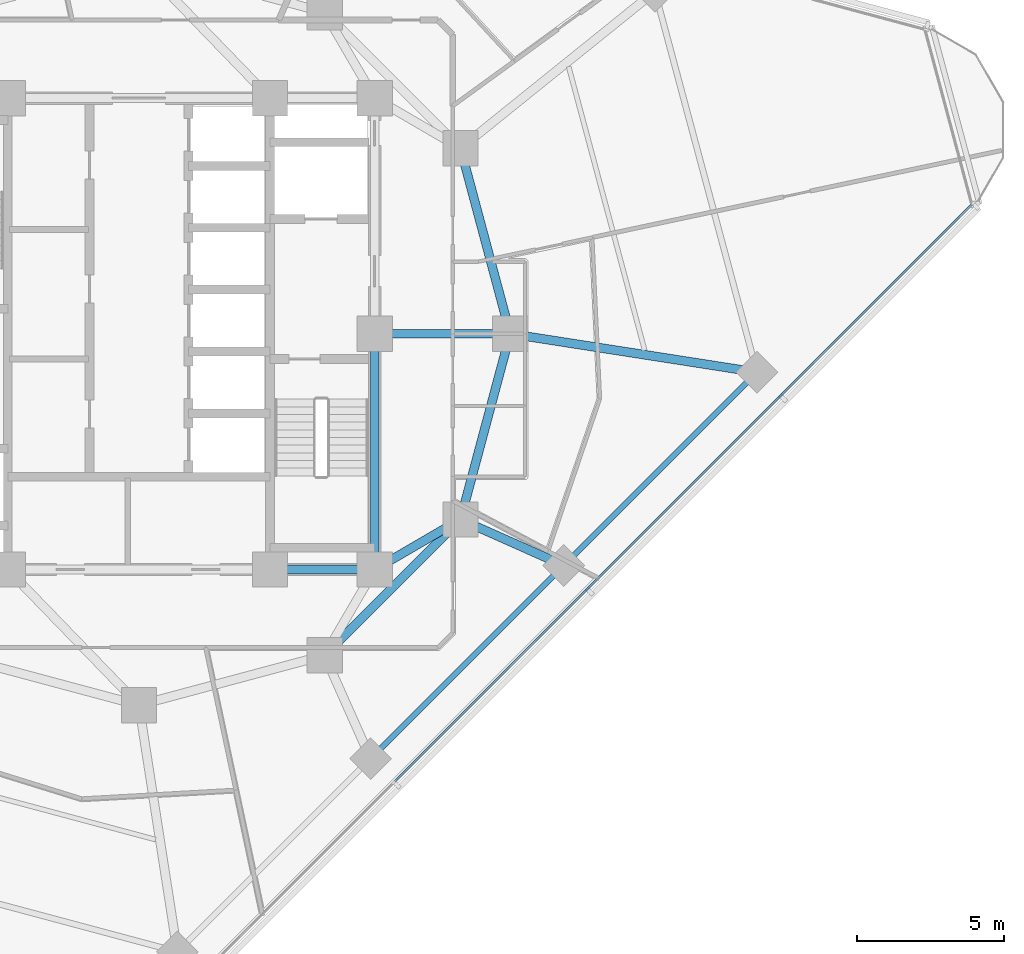
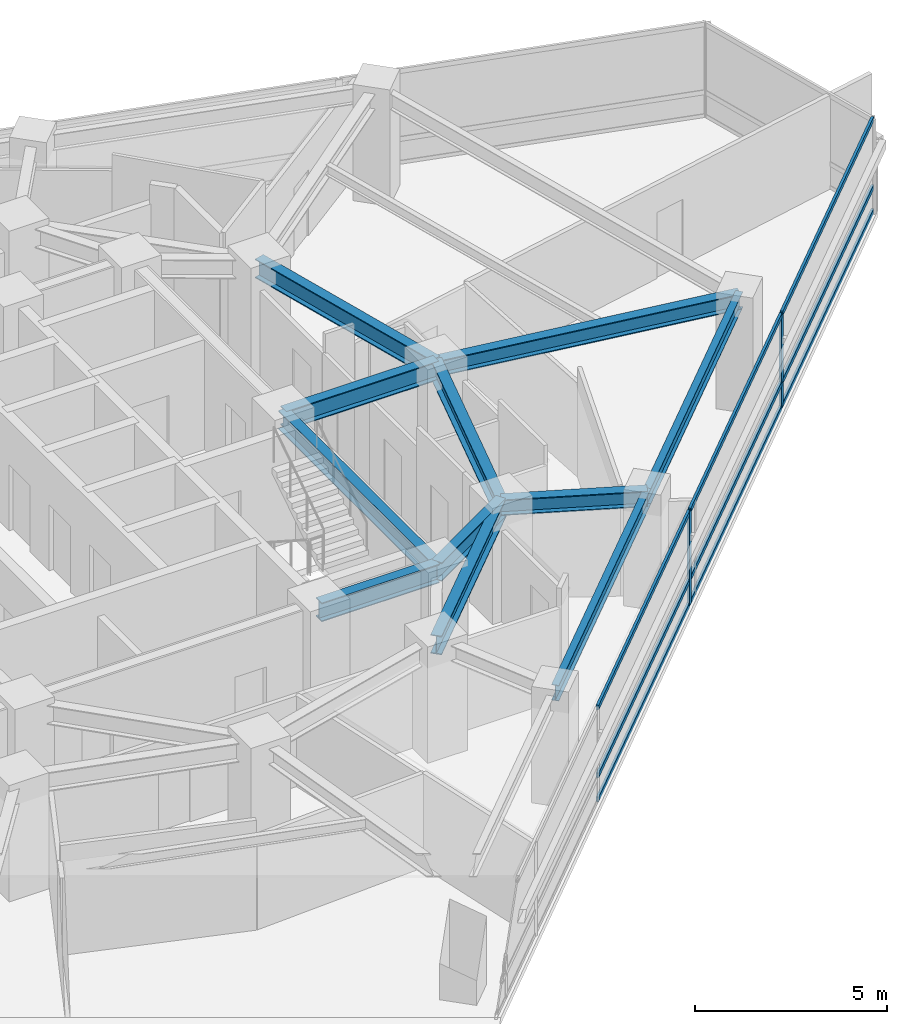
# One storey, part 3 of 14: 11 beams, 11 members, 1 element without a shape of its own.
"""IFC4 building model written with IfcOpenShell, lengths in metres."""

from ifc_helpers import new_model, si_unit, direction, frame, origin, origin_2d, place, context, subcontext, project, spatial, rectangle, i_section, extrude, material, layer, layer_set, material_profile, profile_set, type_object, element, aggregate, save


model = new_model("IFC4")

# Units and contexts
model_context = context("Model", 3, precision=1e-05, world=origin(), true_north=direction((0.0, 1.0)))
body_context = subcontext(model_context, "Body", "Model", "MODEL_VIEW")
ifc_project = project(units=[si_unit("LENGTHUNIT", "METRE"), si_unit("AREAUNIT", "SQUARE_METRE"), si_unit("VOLUMEUNIT", "CUBIC_METRE"), si_unit("PLANEANGLEUNIT", "RADIAN"), si_unit("MASSUNIT", "GRAM", prefix="KILO")], contexts=[model_context])

# Site, building, storey
site_placement = place(None, origin())
site = spatial("IfcSite", under=ifc_project, at=site_placement, CompositionType="ELEMENT")
building_placement = place(site_placement, origin())
building = spatial("IfcBuilding", under=site, at=building_placement, Name="Terralouvre Media Tower", CompositionType="ELEMENT")
storey_placement = place(building_placement, frame((0.0, 0.0, 191.60009765625)))
storey = spatial("IfcBuildingStorey", under=building, at=storey_placement, Name="L49", CompositionType="ELEMENT", Elevation=191.60009765625)

# Curtain wall, members
ifc_material_1 = material(Name="Low-iron laminated double glazing with solar-control coating", Category="glass")
ifc_layer = layer(ifc_material_1, 0.1650390625, Name="Production Studio Tower Curtain Wall CW-03")
ifc_layer_set = layer_set([ifc_layer], Name="Low-iron laminated double glazing with solar-control coating")
curtain_wall_type = type_object("IfcCurtainWallType", Name="Production Studio Tower Curtain Wall CW-03", PredefinedType="NOTDEFINED", material=ifc_layer_set)
curtain_wall_placement = place(storey_placement, origin())
curtain_wall = element("IfcCurtainWall", 1, at=curtain_wall_placement, inside=storey, type_object=curtain_wall_type, Name="L49 Facade Curtain Wall F0", PredefinedType="NOTDEFINED")
ifc_material_2 = material(Name="Anodised extruded aluminium 6063-T6", Category="aluminium")
ifc_material_profile_1 = material_profile(ifc_material_2, rectangle(XDim=0.074951171875, YDim=0.14990234375, at=origin_2d()), Name="ALU 75x150")
ifc_profile_set_1 = profile_set([ifc_material_profile_1], Name="Anodised extruded aluminium 6063-T6")
member_type_1 = type_object("IfcMemberType", Name="Curtain-Wall Horizontal Transom TR-150", PredefinedType="USERDEFINED", material=ifc_profile_set_1)
member_1_placement = place(storey_placement, frame((8.6865234375, -15.189697265625, 0.037353515625), z_axis=(0.707106781187, 0.707106781187, 0.0), x_axis=(-0.707106781187, 0.707106781187, 0.0)))
member_1 = element("IfcMember", 2, at=member_1_placement, type_object=member_type_1, Name="CW-03 transom 3.1", ObjectType="TRANSOM", PredefinedType="USERDEFINED", context=body_context, shape_type="SweptSolid", body=[
    extrude(rectangle(XDim=0.074951171875, YDim=0.14990234375, at=origin_2d()), origin(), (0.0, 0.0, 1.0), 9.19677734375),
])
member_2_placement = place(storey_placement, frame((8.6865234375, -15.189697265625, 0.7998046875), z_axis=(0.707106781187, 0.707106781187, 0.0), x_axis=(-0.707106781187, 0.707106781187, 0.0)))
member_2 = element("IfcMember", 3, at=member_2_placement, type_object=member_type_1, Name="CW-03 transom 3.2", ObjectType="TRANSOM", PredefinedType="USERDEFINED", context=body_context, shape_type="SweptSolid", body=[
    extrude(rectangle(XDim=0.074951171875, YDim=0.14990234375, at=origin_2d()), origin(), (0.0, 0.0, 1.0), 9.19677734375),
])
member_3_placement = place(storey_placement, frame((8.6865234375, -15.189697265625, 2.96240234375), z_axis=(0.707106781187, 0.707106781187, 0.0), x_axis=(-0.707106781187, 0.707106781187, 0.0)))
member_3 = element("IfcMember", 4, at=member_3_placement, type_object=member_type_1, Name="CW-03 transom 3.3", ObjectType="TRANSOM", PredefinedType="USERDEFINED", context=body_context, shape_type="SweptSolid", body=[
    extrude(rectangle(XDim=0.074951171875, YDim=0.14990234375, at=origin_2d()), origin(), (0.0, 0.0, 1.0), 9.19677734375),
])
member_4_placement = place(storey_placement, frame((15.24267578125, -8.63330078125, 0.037353515625), z_axis=(0.707120053831, 0.707093508293, 0.0), x_axis=(-0.707093508293, 0.707120053831, 0.0)))
member_4 = element("IfcMember", 5, at=member_4_placement, type_object=member_type_1, Name="CW-03 transom 4.1", ObjectType="TRANSOM", PredefinedType="USERDEFINED", context=body_context, shape_type="SweptSolid", body=[
    extrude(rectangle(XDim=0.074951171875, YDim=0.14990234375, at=origin_2d()), origin(), (0.0, 0.0, 1.0), 9.197021484375),
])
member_5_placement = place(storey_placement, frame((15.24267578125, -8.63330078125, 0.7998046875), z_axis=(0.707120053831, 0.707093508293, 0.0), x_axis=(-0.707093508293, 0.707120053831, 0.0)))
member_5 = element("IfcMember", 6, at=member_5_placement, type_object=member_type_1, Name="CW-03 transom 4.2", ObjectType="TRANSOM", PredefinedType="USERDEFINED", context=body_context, shape_type="SweptSolid", body=[
    extrude(rectangle(XDim=0.074951171875, YDim=0.14990234375, at=origin_2d()), origin(), (0.0, 0.0, 1.0), 9.197021484375),
])
member_6_placement = place(storey_placement, frame((15.24267578125, -8.63330078125, 2.96240234375), z_axis=(0.707120053831, 0.707093508293, 0.0), x_axis=(-0.707093508293, 0.707120053831, 0.0)))
member_6 = element("IfcMember", 7, at=member_6_placement, type_object=member_type_1, Name="CW-03 transom 4.3", ObjectType="TRANSOM", PredefinedType="USERDEFINED", context=body_context, shape_type="SweptSolid", body=[
    extrude(rectangle(XDim=0.074951171875, YDim=0.14990234375, at=origin_2d()), origin(), (0.0, 0.0, 1.0), 9.197021484375),
])
member_7_placement = place(storey_placement, frame((21.799072265625, -2.0771484375, 0.037353515625), z_axis=(0.707106781187, 0.707106781187, 0.0), x_axis=(-0.707106781187, 0.707106781187, 0.0)))
member_7 = element("IfcMember", 8, at=member_7_placement, type_object=member_type_1, Name="CW-03 transom 5.1", ObjectType="TRANSOM", PredefinedType="USERDEFINED", context=body_context, shape_type="SweptSolid", body=[
    extrude(rectangle(XDim=0.074951171875, YDim=0.14990234375, at=origin_2d()), origin(), (0.0, 0.0, 1.0), 9.15966796875),
])
member_8_placement = place(storey_placement, frame((21.799072265625, -2.0771484375, 0.7998046875), z_axis=(0.707106781187, 0.707106781187, 0.0), x_axis=(-0.707106781187, 0.707106781187, 0.0)))
member_8 = element("IfcMember", 9, at=member_8_placement, type_object=member_type_1, Name="CW-03 transom 5.2", ObjectType="TRANSOM", PredefinedType="USERDEFINED", context=body_context, shape_type="SweptSolid", body=[
    extrude(rectangle(XDim=0.074951171875, YDim=0.14990234375, at=origin_2d()), origin(), (0.0, 0.0, 1.0), 9.15966796875),
])
member_9_placement = place(storey_placement, frame((21.799072265625, -2.0771484375, 2.96240234375), z_axis=(0.707106781187, 0.707106781187, 0.0), x_axis=(-0.707106781187, 0.707106781187, 0.0)))
member_9 = element("IfcMember", 10, at=member_9_placement, type_object=member_type_1, Name="CW-03 transom 5.3", ObjectType="TRANSOM", PredefinedType="USERDEFINED", context=body_context, shape_type="SweptSolid", body=[
    extrude(rectangle(XDim=0.074951171875, YDim=0.14990234375, at=origin_2d()), origin(), (0.0, 0.0, 1.0), 9.15966796875),
])
ifc_material_3 = material(Name="Anodised extruded aluminium 6063-T6", Category="aluminium")
ifc_material_profile_2 = material_profile(ifc_material_3, rectangle(XDim=0.074951171875, YDim=0.179931640625, at=origin_2d()), Name="ALU 75x180")
ifc_profile_set_2 = profile_set([ifc_material_profile_2], Name="Anodised extruded aluminium 6063-T6")
member_type_2 = type_object("IfcMemberType", Name="Curtain-Wall Vertical Mullion ML-180", PredefinedType="MULLION", material=ifc_profile_set_2)
member_10_placement = place(storey_placement, frame((15.21630859375, -8.659912109375, 0.0), z_axis=(0.0, 0.0, 1.0), x_axis=(-0.707106781187, 0.707106781187, 0.0)))
member_10 = element("IfcMember", 11, at=member_10_placement, type_object=member_type_2, Name="CW-03 mullion 4", PredefinedType="MULLION", context=body_context, shape_type="SweptSolid", body=[
    extrude(rectangle(XDim=0.074951171875, YDim=0.179931640625, at=origin_2d()), origin(), (0.0, 0.0, 1.0), 3.0),
])
member_11_placement = place(storey_placement, frame((21.7724609375, -2.103515625, 0.0), z_axis=(0.0, 0.0, 1.0), x_axis=(-0.707106781187, 0.707106781187, 0.0)))
member_11 = element("IfcMember", 12, at=member_11_placement, type_object=member_type_2, Name="CW-03 mullion 5", PredefinedType="MULLION", context=body_context, shape_type="SweptSolid", body=[
    extrude(rectangle(XDim=0.074951171875, YDim=0.179931640625, at=origin_2d()), origin(), (0.0, 0.0, 1.0), 3.0),
])
aggregate(curtain_wall, [member_10, member_11, member_1, member_2, member_3, member_4, member_5, member_6, member_7, member_8, member_9])

# Beams
ifc_material_4 = material(Name="Structural steel S355J2", Category="steel")
ifc_material_profile_3 = material_profile(ifc_material_4, i_section(OverallWidth=0.199951171875, OverallDepth=0.5, WebThickness=0.01025390625, FlangeThickness=0.01611328125, at=origin_2d()), Name="IPE 500")
ifc_profile_set_3 = profile_set([ifc_material_profile_3], Name="Structural steel S355J2")
beam_type_1 = type_object("IfcBeamType", Name="Perimeter Spandrel Beam SPB-500 (IPE 500)", PredefinedType="SPANDREL", material=ifc_profile_set_3)
beam_1_placement = place(storey_placement, frame((7.86083984375, -14.417236328125, 3.25), z_axis=(0.707106781187, 0.707106781187, 0.0), x_axis=(-0.707106781187, 0.707106781187, 0.0)))
element("IfcBeam", 13, at=beam_1_placement, inside=storey, type_object=beam_type_1, Name="L49 Framing Beam BM-L49-PR04", PredefinedType="SPANDREL", context=body_context, shape_type="SweptSolid", body=[
    extrude(i_section(OverallWidth=0.199951171875, OverallDepth=0.5, WebThickness=0.01025390625, FlangeThickness=0.01611328125, at=origin_2d()), origin(), (0.0, 0.0, 1.0), 9.272216796875),
])
beam_2_placement = place(storey_placement, frame((14.417236328125, -7.86083984375, 3.25), z_axis=(0.707106781187, 0.707106781187, 0.0), x_axis=(-0.707106781187, 0.707106781187, 0.0)))
element("IfcBeam", 14, at=beam_2_placement, inside=storey, type_object=beam_type_1, Name="L49 Framing Beam BM-L49-PR05", PredefinedType="SPANDREL", context=body_context, shape_type="SweptSolid", body=[
    extrude(i_section(OverallWidth=0.199951171875, OverallDepth=0.5, WebThickness=0.01025390625, FlangeThickness=0.01611328125, at=origin_2d()), origin(), (0.0, 0.0, 1.0), 9.271728515625),
])
ifc_material_5 = material(Name="Structural steel S355J2", Category="steel")
ifc_material_profile_4 = material_profile(ifc_material_5, i_section(OverallWidth=0.300048828125, OverallDepth=0.5, WebThickness=0.014404296875, FlangeThickness=0.028076171875, at=origin_2d()), Name="HEB 500")
ifc_profile_set_4 = profile_set([ifc_material_profile_4], Name="Structural steel S355J2")
beam_type_2 = type_object("IfcBeamType", Name="Primary Floor Girder B-HEB500 (HEB 500)", PredefinedType="BEAM", material=ifc_profile_set_4)
beam_3_placement = place(storey_placement, frame((10.911865234375, -6.300048828125, 3.25), z_axis=(0.913535846257, -0.406758229915, 0.0), x_axis=(0.406758229915, 0.913535846257, 0.0)))
element("IfcBeam", 15, at=beam_3_placement, inside=storey, type_object=beam_type_2, Name="L49 Framing Beam BM-L49-RD05", PredefinedType="BEAM", context=body_context, shape_type="SweptSolid", body=[
    extrude(i_section(OverallWidth=0.300048828125, OverallDepth=0.5, WebThickness=0.014404296875, FlangeThickness=0.028076171875, at=origin_2d()), origin(), (0.0, 0.0, 1.0), 3.837158203125),
])
beam_4_placement = place(storey_placement, frame((12.60009765625, 0.0, 3.25), z_axis=(0.988077445791, -0.153957660154, 0.0), x_axis=(0.153957660154, 0.988077445791, 0.0)))
element("IfcBeam", 16, at=beam_4_placement, inside=storey, type_object=beam_type_2, Name="L49 Framing Beam BM-L49-RD06", PredefinedType="BEAM", context=body_context, shape_type="SweptSolid", body=[
    extrude(i_section(OverallWidth=0.300048828125, OverallDepth=0.5, WebThickness=0.014404296875, FlangeThickness=0.028076171875, at=origin_2d()), origin(), (0.0, 0.0, 1.0), 8.474365234375),
])
ifc_material_6 = material(Name="Structural steel S460M", Category="steel")
ifc_material_profile_5 = material_profile(ifc_material_6, i_section(OverallWidth=0.300048828125, OverallDepth=0.60009765625, WebThickness=0.015380859375, FlangeThickness=0.030029296875, at=origin_2d()), Name="HEB 600")
ifc_profile_set_5 = profile_set([ifc_material_profile_5], Name="Structural steel S460M")
beam_type_3 = type_object("IfcBeamType", Name="Primary Floor Girder B-HEB600 (HEB 600)", PredefinedType="BEAM", material=ifc_profile_set_5)
beam_5_placement = place(storey_placement, frame((4.449951171875, -8.0, 3.199951171875), z_axis=(1.0, 0.0, 0.0), x_axis=(0.0, 1.0, 0.0)))
element("IfcBeam", 17, at=beam_5_placement, inside=storey, type_object=beam_type_3, Name="L49 Framing Beam BM-L49-CPR03", PredefinedType="BEAM", context=body_context, shape_type="SweptSolid", body=[
    extrude(i_section(OverallWidth=0.300048828125, OverallDepth=0.60009765625, WebThickness=0.015380859375, FlangeThickness=0.030029296875, at=origin_2d()), origin(), (0.0, 0.0, 1.0), 3.550048828125),
])
beam_6_placement = place(storey_placement, frame((8.0, -8.0, 3.199951171875), z_axis=(0.0, 1.0, 0.0), x_axis=(-1.0, 0.0, 0.0)))
element("IfcBeam", 18, at=beam_6_placement, inside=storey, type_object=beam_type_3, Name="L49 Framing Beam BM-L49-CPR04", PredefinedType="BEAM", context=body_context, shape_type="SweptSolid", body=[
    extrude(i_section(OverallWidth=0.300048828125, OverallDepth=0.60009765625, WebThickness=0.015380859375, FlangeThickness=0.030029296875, at=origin_2d()), origin(), (0.0, 0.0, 1.0), 8.0),
])
beam_7_placement = place(storey_placement, frame((6.300048828125, -10.911865234375, 3.199951171875), z_axis=(0.707106781187, 0.707106781187, 0.0), x_axis=(-0.707106781187, 0.707106781187, 0.0)))
element("IfcBeam", 19, at=beam_7_placement, inside=storey, type_object=beam_type_3, Name="L49 Framing Beam BM-L49-MR04", PredefinedType="BEAM", context=body_context, shape_type="SweptSolid", body=[
    extrude(i_section(OverallWidth=0.300048828125, OverallDepth=0.60009765625, WebThickness=0.015380859375, FlangeThickness=0.030029296875, at=origin_2d()), origin(), (0.0, 0.0, 1.0), 6.52197265625),
])
for number, where, z_axis, x_axis, name in (
    (20, (10.911865234375, -6.300048828125, 3.199951171875), (0.258838989821, 0.965920481897, 0.0), (-0.965920481897, 0.258838989821, 0.0), "L49 Framing Beam BM-L49-MR05"),
    (21, (12.60009765625, 0.0, 3.199951171875), (-0.258838989821, 0.965920481897, 0.0), (-0.965920481897, -0.258838989821, 0.0), "L49 Framing Beam BM-L49-MR06"),
):
    element("IfcBeam", number, at=place(storey_placement, frame(where, z_axis=z_axis, x_axis=x_axis)), inside=storey, type_object=beam_type_3, Name=name, PredefinedType="BEAM", context=body_context, shape_type="SweptSolid", body=[
        extrude(i_section(OverallWidth=0.300048828125, OverallDepth=0.60009765625, WebThickness=0.015380859375, FlangeThickness=0.030029296875, at=origin_2d()), origin(), (0.0, 0.0, 1.0), 6.522216796875),
    ])
beam_8_placement = place(storey_placement, frame((8.0, -8.0, 3.199951171875), z_axis=(0.863602894532, 0.504172629717, 0.0), x_axis=(-0.504172629717, 0.863602894532, 0.0)))
element("IfcBeam", 22, at=beam_8_placement, inside=storey, type_object=beam_type_3, Name="L49 Framing Beam BM-L49-CM05", PredefinedType="BEAM", context=body_context, shape_type="SweptSolid", body=[
    extrude(i_section(OverallWidth=0.300048828125, OverallDepth=0.60009765625, WebThickness=0.015380859375, FlangeThickness=0.030029296875, at=origin_2d()), origin(), (0.0, 0.0, 1.0), 3.371826171875),
])
beam_9_placement = place(storey_placement, frame((8.0, 0.0, 3.199951171875), z_axis=(1.0, 0.0, 0.0), x_axis=(0.0, 1.0, 0.0)))
element("IfcBeam", 23, at=beam_9_placement, inside=storey, type_object=beam_type_3, Name="L49 Framing Beam BM-L49-CM06", PredefinedType="BEAM", context=body_context, shape_type="SweptSolid", body=[
    extrude(i_section(OverallWidth=0.300048828125, OverallDepth=0.60009765625, WebThickness=0.015380859375, FlangeThickness=0.030029296875, at=origin_2d()), origin(), (0.0, 0.0, 1.0), 4.60009765625),
])

save(model, "model.ifc")
